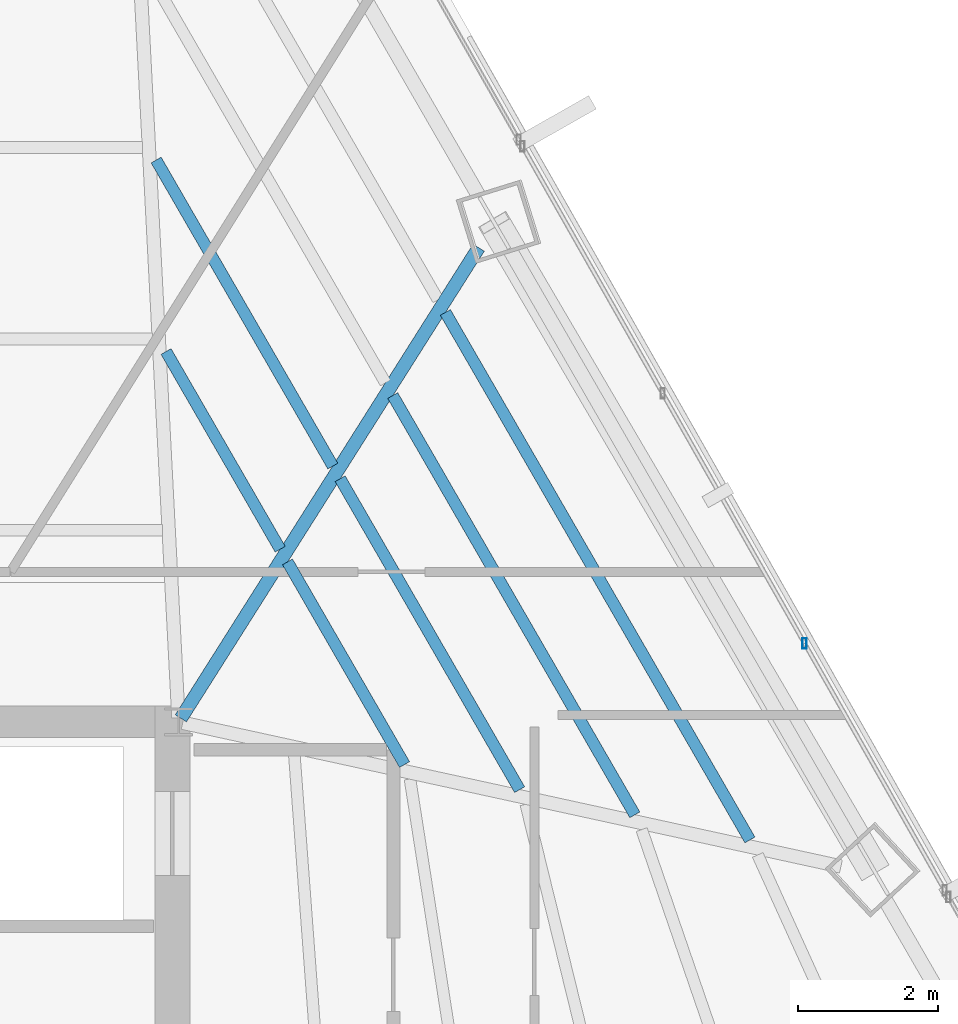
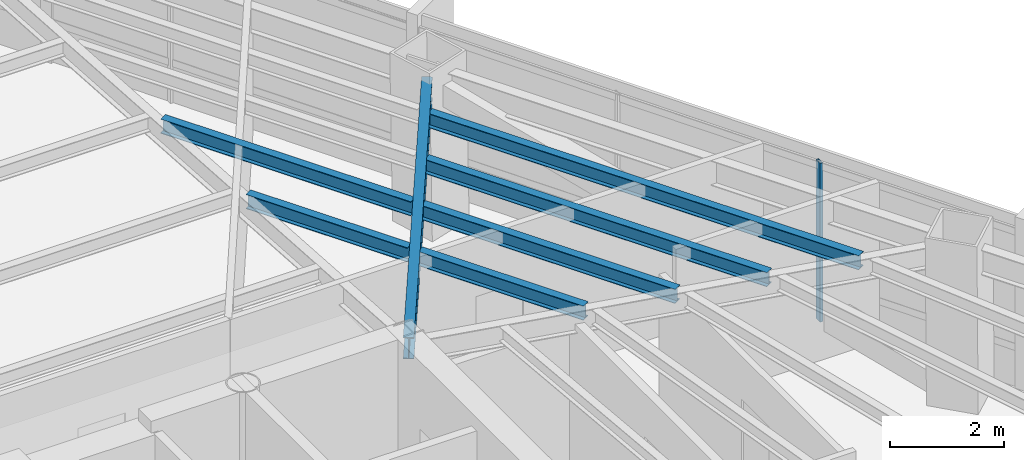
# One storey, part 24 of 41: 7 beams, 1 member, 1 element without a shape of its own.
"""IFC4 building model written with IfcOpenShell, lengths in metres."""

from ifc_helpers import new_model, si_unit, direction, frame, origin, origin_2d, place, context, subcontext, project, spatial, hollow_rectangle, i_section, extrude, source, transform, mapped, material, material_profile, profile_set, type_object, type_shapes, element, aggregate, save


model = new_model("IFC4")

# Units and contexts
model_context = context("Model", 3, precision=1e-05, world=origin(), true_north=direction((0.0, 1.0)))
body_context = subcontext(model_context, "Body", "Model", "MODEL_VIEW")
ifc_project = project(units=[si_unit("LENGTHUNIT", "METRE"), si_unit("AREAUNIT", "SQUARE_METRE"), si_unit("VOLUMEUNIT", "CUBIC_METRE"), si_unit("PLANEANGLEUNIT", "RADIAN"), si_unit("MASSUNIT", "GRAM", prefix="KILO")], contexts=[model_context])

# Site, building, storey
site_placement = place(None, origin())
site = spatial("IfcSite", under=ifc_project, at=site_placement, CompositionType="ELEMENT")
building_placement = place(site_placement, origin())
building = spatial("IfcBuilding", under=site, at=building_placement, Name="Caelisora Broadcast Tower", CompositionType="ELEMENT")
storey_placement = place(building_placement, frame((0.0, 0.0, 135.449951171875)))
storey = spatial("IfcBuildingStorey", under=building, at=storey_placement, Name="L35", CompositionType="ELEMENT", Elevation=135.449951171875)

# Beams
ifc_material_1 = material(Name="Steel Grade 350 (AS/NZS 3679.1)", Category="steel")
ifc_material_profile_1 = material_profile(ifc_material_1, i_section(OverallWidth=0.19091796875, OverallDepth=0.46044921875, WebThickness=0.010009765625, FlangeThickness=0.01611328125, at=origin_2d()), Name="Steel Grade 350 (AS/NZS 3679.1)")
ifc_profile_set_1 = profile_set([ifc_material_profile_1], Name="Steel Grade 350 (AS/NZS 3679.1)")
beam_type_1 = type_object("IfcBeamType", Name="PG06", PredefinedType="BEAM", material=ifc_profile_set_1)
shared_shape_1 = source(origin(), body_context, "Body", "SweptSolid", [
    extrude(i_section(OverallWidth=0.19091796875, OverallDepth=0.46044921875, WebThickness=0.010009765625, FlangeThickness=0.01611328125, at=origin_2d()), origin(), (0.0, 0.0, 1.0), 7.98486328125),
])
type_shapes(beam_type_1, [shared_shape_1])
beam_1_placement = place(storey_placement, frame((45.531982421875, 30.05078125, 3.169921875), z_axis=(0.534701425023, 0.845041055854, 0.0), x_axis=(-0.845041055854, 0.534701425023, 0.0)))
element("IfcBeam", 1, at=beam_1_placement, inside=storey, type_object=beam_type_1, Name="L35 beam PG06", PredefinedType="BEAM", context=body_context, shape_type="MappedRepresentation", body=[
    mapped(shared_shape_1, transform((0.0, 0.0, 0.0), scale=1.0)),
])
ifc_material_profile_2 = material_profile(ifc_material_1, i_section(OverallWidth=0.166015625, OverallDepth=0.30712890625, WebThickness=0.006591796875, FlangeThickness=0.01171875, at=origin_2d()), Name="Steel Grade 350 (AS/NZS 3679.1)")
ifc_profile_set_2 = profile_set([ifc_material_profile_2], Name="Steel Grade 350 (AS/NZS 3679.1)")
beam_type_2 = type_object("IfcBeamType", Name="SB03", PredefinedType="JOIST", material=ifc_profile_set_2)
shared_shape_2 = source(origin(), body_context, "Body", "SweptSolid", [
    extrude(i_section(OverallWidth=0.166015625, OverallDepth=0.30712890625, WebThickness=0.006591796875, FlangeThickness=0.01171875, at=origin_2d()), origin(), (0.0, 0.0, 1.0), 3.2734375),
])
beam_2_placement = place(storey_placement, frame((46.956298828125, 32.47509765625, 3.246337890625), z_axis=(-0.499989298045, 0.866031582473, 0.0), x_axis=(-0.866031582473, -0.499989298045, 0.0)))
element("IfcBeam", 2, at=beam_2_placement, inside=storey, type_object=beam_type_2, Name="L35 beam SB03", PredefinedType="JOIST", context=body_context, shape_type="MappedRepresentation", body=[
    mapped(shared_shape_2, transform((0.0, 0.0, 0.0), scale=1.0)),
])
shared_shape_3 = source(origin(), body_context, "Body", "SweptSolid", [
    extrude(i_section(OverallWidth=0.166015625, OverallDepth=0.30712890625, WebThickness=0.006591796875, FlangeThickness=0.01171875, at=origin_2d()), origin(), (0.0, 0.0, 1.0), 5.06591796875),
])
beam_3_placement = place(storey_placement, frame((47.710693359375, 33.66748046875, 3.246337890625), z_axis=(-0.500036709406, 0.866004208561, 0.0), x_axis=(-0.866004208561, -0.500036709406, 0.0)))
element("IfcBeam", 3, at=beam_3_placement, inside=storey, type_object=beam_type_2, Name="L35 beam SB03", PredefinedType="JOIST", context=body_context, shape_type="MappedRepresentation", body=[
    mapped(shared_shape_3, transform((0.0, 0.0, 0.0), scale=1.0)),
])
shared_shape_4 = source(origin(), body_context, "Body", "SweptSolid", [
    extrude(i_section(OverallWidth=0.166015625, OverallDepth=0.30712890625, WebThickness=0.006591796875, FlangeThickness=0.01171875, at=origin_2d()), origin(), (0.0, 0.0, 1.0), 3.3544921875),
])
beam_4_placement = place(storey_placement, frame((48.73828125, 29.388671875, 3.246337890625), z_axis=(-0.50000595786, 0.866021963985, 0.0), x_axis=(-0.866021963985, -0.50000595786, 0.0)))
element("IfcBeam", 4, at=beam_4_placement, inside=storey, type_object=beam_type_2, Name="L35 beam SB03", PredefinedType="JOIST", context=body_context, shape_type="MappedRepresentation", body=[
    mapped(shared_shape_4, transform((0.0, 0.0, 0.0), scale=1.0)),
])
shared_shape_5 = source(origin(), body_context, "Body", "SweptSolid", [
    extrude(i_section(OverallWidth=0.166015625, OverallDepth=0.30712890625, WebThickness=0.006591796875, FlangeThickness=0.01171875, at=origin_2d()), origin(), (0.0, 0.0, 1.0), 5.14697265625),
])
beam_5_placement = place(storey_placement, frame((50.388916015625, 29.0283203125, 3.246337890625), z_axis=(-0.499990707328, 0.866030768845, 0.0), x_axis=(-0.866030768845, -0.499990707328, 0.0)))
element("IfcBeam", 5, at=beam_5_placement, inside=storey, type_object=beam_type_2, Name="L35 beam SB03", PredefinedType="JOIST", context=body_context, shape_type="MappedRepresentation", body=[
    mapped(shared_shape_5, transform((0.0, 0.0, 0.0), scale=1.0)),
])
shared_shape_6 = source(origin(), body_context, "Body", "SweptSolid", [
    extrude(i_section(OverallWidth=0.166015625, OverallDepth=0.30712890625, WebThickness=0.006591796875, FlangeThickness=0.01171875, at=origin_2d()), origin(), (0.0, 0.0, 1.0), 6.93994140625),
])
beam_6_placement = place(storey_placement, frame((52.039794921875, 28.66796875, 3.246337890625), z_axis=(-0.500036104519, 0.866004557827, 0.0), x_axis=(-0.866004557827, -0.500036104519, 0.0)))
element("IfcBeam", 6, at=beam_6_placement, inside=storey, type_object=beam_type_2, Name="L35 beam SB03", PredefinedType="JOIST", context=body_context, shape_type="MappedRepresentation", body=[
    mapped(shared_shape_6, transform((0.0, 0.0, 0.0), scale=1.0)),
])
shared_shape_7 = source(origin(), body_context, "Body", "SweptSolid", [
    extrude(i_section(OverallWidth=0.166015625, OverallDepth=0.30712890625, WebThickness=0.006591796875, FlangeThickness=0.01171875, at=origin_2d()), origin(), (0.0, 0.0, 1.0), 8.732421875),
])
type_shapes(beam_type_2, [shared_shape_2, shared_shape_3, shared_shape_4, shared_shape_5, shared_shape_6, shared_shape_7])
beam_7_placement = place(storey_placement, frame((53.6904296875, 28.3076171875, 3.246337890625), z_axis=(-0.499999959354, 0.866025427251, 0.0), x_axis=(-0.866025427251, -0.499999959354, 0.0)))
element("IfcBeam", 7, at=beam_7_placement, inside=storey, type_object=beam_type_2, Name="L35 beam SB03", PredefinedType="JOIST", context=body_context, shape_type="MappedRepresentation", body=[
    mapped(shared_shape_7, transform((0.0, 0.0, 0.0), scale=1.0)),
])

# Curtain wall, member
ifc_material_2 = material(Name="Unitised Aluminium Insulated Shadow-Box Spandrel Curtain Wall", Category="aluminium")
curtain_wall_type = type_object("IfcCurtainWallType", Name="CW-SP2", PredefinedType="NOTDEFINED", material=ifc_material_2)
curtain_wall_placement = place(storey_placement, origin())
curtain_wall = element("IfcCurtainWall", 8, at=curtain_wall_placement, inside=storey, type_object=curtain_wall_type, Name="L35 curtain wall CW-SP2", PredefinedType="NOTDEFINED")
ifc_material_3 = material(Name="Aluminium 6063-T6 Anodised Terracotta Bronze", Category="aluminium")
ifc_material_profile_3 = material_profile(ifc_material_3, hollow_rectangle(XDim=0.06005859375, YDim=0.14990234375, WallThickness=0.00341796875, at=origin_2d()), Name="Aluminium 6063-T6 Anodised Terracotta Bronze")
ifc_profile_set_3 = profile_set([ifc_material_profile_3], Name="Aluminium 6063-T6 Anodised Terracotta Bronze")
member_type = type_object("IfcMemberType", Name="CWM-03", PredefinedType="MULLION", material=ifc_profile_set_3)
shared_shape_8 = source(origin(), body_context, "Body", "SweptSolid", [
    extrude(hollow_rectangle(XDim=0.06005859375, YDim=0.14990234375, WallThickness=0.00341796875, at=origin_2d()), origin(), (0.0, 0.0, 1.0), 3.400146484375),
])
type_shapes(member_type, [shared_shape_8])
member_placement = place(storey_placement, frame((54.473388671875, 31.125, 0.0), z_axis=(0.0, 0.0, 1.0), x_axis=(1.0, 0.0, 0.0)))
member = element("IfcMember", 9, at=member_placement, type_object=member_type, Name="L35-CW-B02 mullion #2", PredefinedType="MULLION", context=body_context, shape_type="MappedRepresentation", body=[
    mapped(shared_shape_8, transform((0.0, 0.0, 0.0), scale=1.0)),
])
aggregate(curtain_wall, [member])

save(model, "model.ifc")
